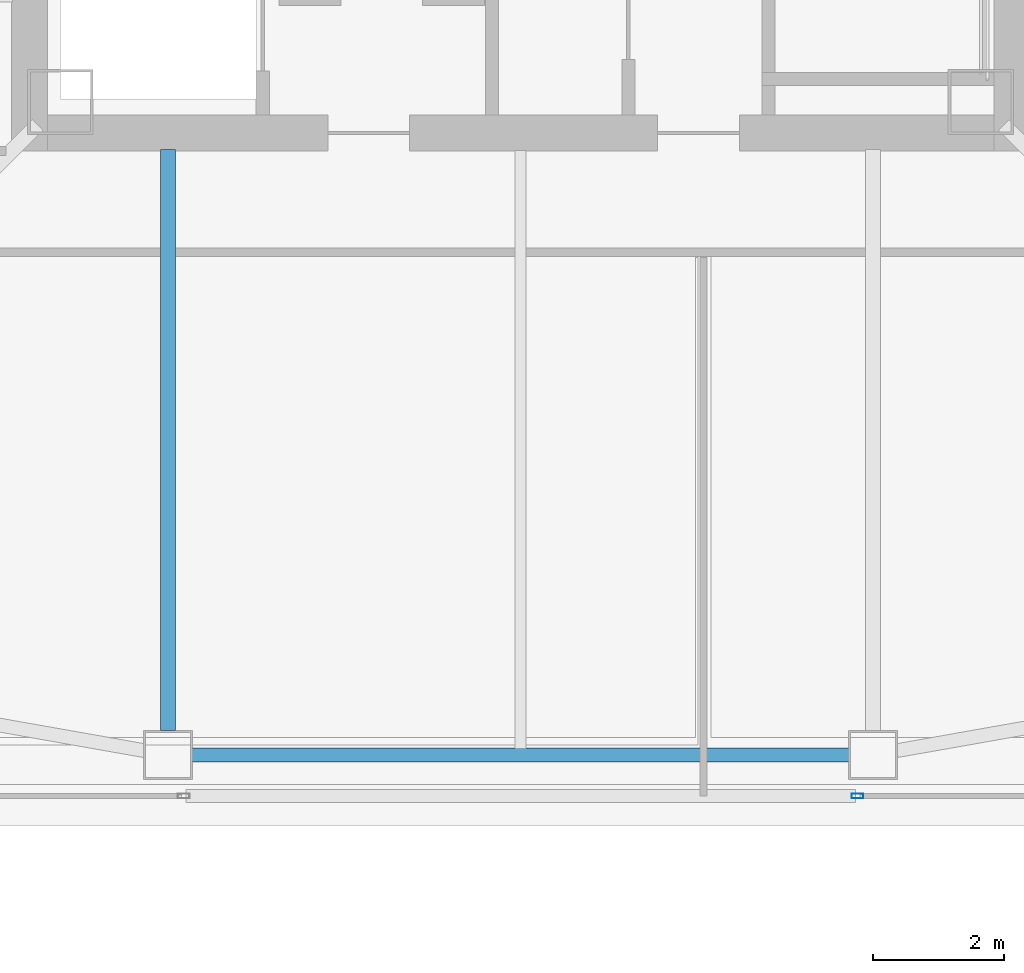
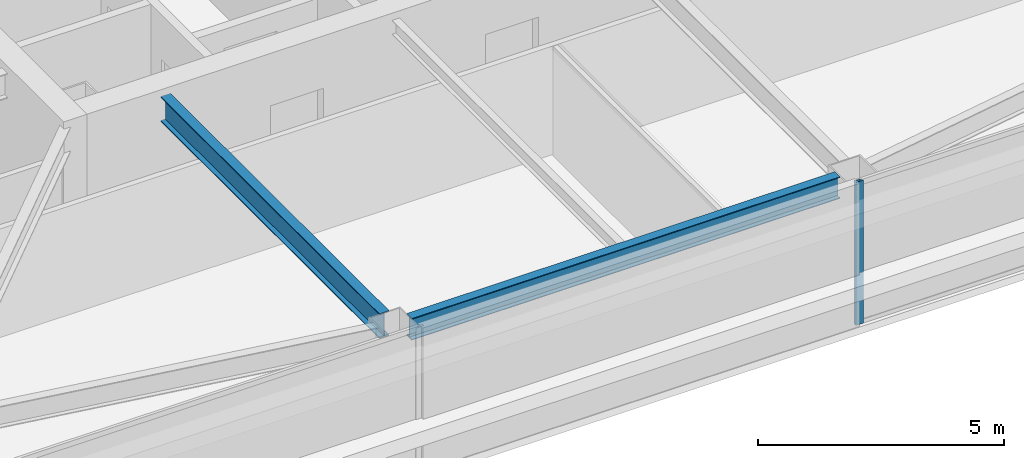
# One storey, part 5 of 41: 2 beams, 1 member, 1 element without a shape of its own.
"""IFC4 building model written with IfcOpenShell, lengths in metres."""

import ifcopenshell
import ifcopenshell.guid

model = None  # the IFC model being written
_history = None  # IfcOwnerHistory: only IFC2X3 demands one
_inside = {}  # id of a spatial element -> (the spatial element, [elements in it])
_under = {}  # id of a project, library or spatial element -> (it, [spatial elements below it])
_declared = {}  # id of a project -> (the project, [libraries it declares])
_typed = {}  # id of a type object -> (the type object, [elements of that type])
_made_of = {}  # id of a material, layer set ... -> (it, [elements and type objects made of it])


def new_model(schema):
    """Start an empty IFC model of exactly this schema.

    Asked for "IFC4X3", IfcOpenShell would pick the latest addendum, in which some entities
    have other attributes; the version numbers below select the first issue.
    IFC2X3 requires an IfcOwnerHistory on every rooted entity: one is made here for all.
    """
    global model, _history
    if schema == "IFC4X3":
        model = ifcopenshell.file(schema_version=(4, 3, 0, 0))
    else:
        model = ifcopenshell.file(schema=schema)
    _inside.clear()
    _under.clear()
    _declared.clear()
    _typed.clear()
    _made_of.clear()
    _history = None
    if model.schema == "IFC2X3":
        org = make("IfcOrganization", Name="unknown")
        user = make(
            "IfcPersonAndOrganization",
            ThePerson=make("IfcPerson", FamilyName="unknown"),
            TheOrganization=org,
        )
        app = make(
            "IfcApplication",
            ApplicationDeveloper=org,
            Version="unknown",
            ApplicationFullName="unknown",
            ApplicationIdentifier="unknown",
        )
        _history = make(
            "IfcOwnerHistory",
            OwningUser=user,
            OwningApplication=app,
            ChangeAction="ADDED",
            CreationDate=0,
        )
    return model


def make(cls, **values):
    """One entity of the class cls with the attributes given. An attribute that is None is left unset."""
    return model.create_entity(
        cls, **{name: value for name, value in values.items() if value is not None}
    )


def rooted(cls, **values):
    """An entity with a GlobalId (a new one), such as an element, a storey or a relation."""
    return make(cls, GlobalId=ifcopenshell.guid.new(), OwnerHistory=_history, **values)


def si_unit(unit_type, name, prefix=None):
    """IfcSIUnit, for example si_unit("LENGTHUNIT", "METRE", prefix="MILLI")."""
    return make("IfcSIUnit", UnitType=unit_type, Prefix=prefix, Name=name)


def assignment(units):
    """IfcUnitAssignment: the units of a project."""
    return None if units is None else make("IfcUnitAssignment", Units=units)


def point(xyz):
    """IfcCartesianPoint."""
    return None if xyz is None else make("IfcCartesianPoint", Coordinates=xyz)


def direction(xyz):
    """IfcDirection."""
    return None if xyz is None else make("IfcDirection", DirectionRatios=xyz)


def frame(location, z_axis=None, x_axis=None):
    """IfcAxis2Placement3D, a coordinate frame: its origin and axes. An axis left out is left unset."""
    return make(
        "IfcAxis2Placement3D",
        Location=point(location),
        Axis=direction(z_axis),
        RefDirection=direction(x_axis),
    )


def frame_2d(location, x_axis=None):
    """IfcAxis2Placement2D, a coordinate frame in the plane: its origin and x axis."""
    return make(
        "IfcAxis2Placement2D", Location=point(location), RefDirection=direction(x_axis)
    )


def origin():
    """The frame at (0, 0, 0) with its axes left unset."""
    return frame((0.0, 0.0, 0.0))


def origin_2d():
    """The frame at (0, 0) in the plane with its x axis left unset."""
    return frame_2d((0.0, 0.0))


def place(relative_to, where):
    """IfcLocalPlacement: puts the frame where relative to a parent placement (None: the world)."""
    return make(
        "IfcLocalPlacement", PlacementRelTo=relative_to, RelativePlacement=where
    )


def context(
    kind, dimensions, precision=None, world=None, true_north=None, identifier=None
):
    """IfcGeometricRepresentationContext, for example the 3D "Model" context."""
    return make(
        "IfcGeometricRepresentationContext",
        ContextIdentifier=identifier,
        ContextType=kind,
        CoordinateSpaceDimension=dimensions,
        Precision=precision,
        WorldCoordinateSystem=world,
        TrueNorth=true_north,
    )


def subcontext(parent, identifier, kind, view, scale=None):
    """IfcGeometricRepresentationSubContext, for example "Body" below "Model"."""
    return make(
        "IfcGeometricRepresentationSubContext",
        ContextIdentifier=identifier,
        ContextType=kind,
        ParentContext=parent,
        TargetScale=scale,
        TargetView=view,
    )


def project(units=None, contexts=None):
    """IfcProject with its units and contexts."""
    return rooted(
        "IfcProject",
        Name="project",
        RepresentationContexts=contexts,
        UnitsInContext=assignment(units),
    )


def spatial(cls, under=None, at=None, **own):
    """A site, building, storey or space (cls), placed at a placement, below another one or the project."""
    s = rooted(cls, ObjectPlacement=at, **own)
    if under is not None:
        _under.setdefault(under.id(), (under, []))[1].append(s)
    return s


def profile(cls, at=None, kind="AREA", **sizes):
    """A parametric profile (cls). Its sizes go by their IFC names, for example OverallWidth=200.0."""
    return make(cls, ProfileType=kind, Position=at, **sizes)


def hollow_rectangle(**sizes):
    """IfcRectangleHollowProfileDef."""
    return profile("IfcRectangleHollowProfileDef", **sizes)


def i_section(**sizes):
    """IfcIShapeProfileDef."""
    return profile("IfcIShapeProfileDef", **sizes)


def extrude(swept, where, along, depth):
    """IfcExtrudedAreaSolid: the profile swept, set in the frame where, extruded along a direction by depth."""
    return make(
        "IfcExtrudedAreaSolid",
        SweptArea=swept,
        Position=where,
        ExtrudedDirection=direction(along),
        Depth=depth,
    )


def shape(context_of_items, identifier, shape_type, items):
    """IfcShapeRepresentation: the items that make up one representation, for example the "Body"."""
    return make(
        "IfcShapeRepresentation",
        ContextOfItems=context_of_items,
        RepresentationIdentifier=identifier,
        RepresentationType=shape_type,
        Items=items,
    )


def material(Name=None, Category=None):
    """IfcMaterial."""
    return make("IfcMaterial", Name=Name, Category=Category)


def material_profile(
    of_material, cross_section, Name=None, Category=None, Priority=None
):
    """IfcMaterialProfile: a cross section and its material."""
    return make(
        "IfcMaterialProfile",
        Name=Name,
        Material=of_material,
        Profile=cross_section,
        Priority=Priority,
        Category=Category,
    )


def profile_set(profiles, Name=None, composite=None):
    """IfcMaterialProfileSet."""
    return make(
        "IfcMaterialProfileSet",
        Name=Name,
        MaterialProfiles=profiles,
        CompositeProfile=composite,
    )


def made_of(thing, what):
    """Note that an element or type object is made of a material, layer set ...; save() writes the relation."""
    if what is not None:
        _made_of.setdefault(what.id(), (what, []))[1].append(thing)
    return thing


def type_object(cls, material=None, **own):
    """A type object (cls), such as IfcWallType, which elements share."""
    return made_of(rooted(cls, **own), material)


def element(
    cls,
    number,
    at=None,
    inside=None,
    cuts=None,
    type_object=None,
    material=None,
    context=None,
    identifier="Body",
    shape_type=None,
    held_by="IfcProductDefinitionShape",
    body=None,
    shapes=None,
    **own,
):
    """One element of the class cls, such as IfcWall. Its Tag is "e" and its number.

    at: its placement. inside: the storey or other place that contains it. cuts: it is an
    opening in that element (IfcRelVoidsElement). A single representation is given by context,
    identifier, shape_type and body (its items); several are given by shapes. held_by: the class
    of the entity that holds the representations. save() writes the other relations.
    """
    e = rooted(cls, Tag="e%d" % number, ObjectPlacement=at, **own)
    if body is not None:
        shapes = [shape(context, identifier, shape_type, body)]
    if shapes is not None:
        e.Representation = make(held_by, Representations=shapes)
    if inside is not None:
        _inside.setdefault(inside.id(), (inside, []))[1].append(e)
    if cuts is not None:
        rooted(
            "IfcRelVoidsElement", RelatingBuildingElement=cuts, RelatedOpeningElement=e
        )
    if type_object is not None:
        _typed.setdefault(type_object.id(), (type_object, []))[1].append(e)
    return made_of(e, material)


def aggregate(whole, parts):
    """IfcRelAggregates: a whole, such as a stair, and the parts it consists of."""
    return rooted("IfcRelAggregates", RelatingObject=whole, RelatedObjects=parts)


def save(model, path):
    """Write the relations noted so far, then the file.

    IfcRelAggregates (storeys below a building ...), IfcRelContainedInSpatialStructure (elements
    in a storey), IfcRelDefinesByType, IfcRelAssociatesMaterial and IfcRelDeclares: one each for
    every whole, place, type object, material and project.
    """
    for whole, parts in _under.values():
        aggregate(whole, parts)
    for where, things in _inside.values():
        rooted(
            "IfcRelContainedInSpatialStructure",
            RelatedElements=things,
            RelatingStructure=where,
        )
    for kind, things in _typed.values():
        rooted("IfcRelDefinesByType", RelatedObjects=things, RelatingType=kind)
    for what, things in _made_of.values():
        rooted("IfcRelAssociatesMaterial", RelatedObjects=things, RelatingMaterial=what)
    for by, libraries in _declared.values():
        rooted("IfcRelDeclares", RelatingContext=by, RelatedDefinitions=libraries)
    model.write(path)


model = new_model("IFC4")

# Units and contexts
model_context = context("Model", 3, precision=1e-05, world=origin(), true_north=direction((0.0, 1.0)))
body_context = subcontext(model_context, "Body", "Model", "MODEL_VIEW")
ifc_project = project(units=[si_unit("LENGTHUNIT", "METRE"), si_unit("AREAUNIT", "SQUARE_METRE"), si_unit("VOLUMEUNIT", "CUBIC_METRE"), si_unit("PLANEANGLEUNIT", "RADIAN"), si_unit("MASSUNIT", "GRAM", prefix="KILO")], contexts=[model_context])

# Site, building, storey
site_placement = place(None, origin())
site = spatial("IfcSite", under=ifc_project, at=site_placement, CompositionType="ELEMENT")
building_placement = place(site_placement, origin())
building = spatial("IfcBuilding", under=site, at=building_placement, Name="Tashvorn Skyway Center", CompositionType="ELEMENT")
storey_placement = place(building_placement, frame((0.0, 0.0, 192.5)))
storey = spatial("IfcBuildingStorey", under=building, at=storey_placement, Name="L52", CompositionType="ELEMENT", Elevation=192.5)

# Beams
ifc_material_1 = material(Name="Steel ASTM A992 Grade 50", Category="steel")
ifc_material_profile_1 = material_profile(ifc_material_1, i_section(OverallWidth=0.22998046875, OverallDepth=0.616943359375, WebThickness=0.01318359375, FlangeThickness=0.022216796875, at=origin_2d()), Name="W24X94")
ifc_profile_set_1 = profile_set([ifc_material_profile_1], Name="Steel ASTM A992 Grade 50")
beam_type_1 = type_object("IfcBeamType", Name="BM-BEAM-W24X94", PredefinedType="BEAM", material=ifc_profile_set_1)
beam_1_placement = place(storey_placement, frame((36.60009765625, 15.320068359375, 3.0615234375), z_axis=(0.0, 1.0, 0.0), x_axis=(-1.0, 0.0, 0.0)))
element("IfcBeam", 1, at=beam_1_placement, inside=storey, type_object=beam_type_1, Name="Tower 1 L52 Primary Floor Girder FC-S1", PredefinedType="BEAM", context=body_context, shape_type="SweptSolid", body=[
    extrude(i_section(OverallWidth=0.22998046875, OverallDepth=0.616943359375, WebThickness=0.01318359375, FlangeThickness=0.022216796875, at=origin_2d()), origin(), (0.0, 0.0, 1.0), 8.89990234375),
])
ifc_material_profile_2 = material_profile(ifc_material_1, i_section(OverallWidth=0.2109375, OverallDepth=0.5390625, WebThickness=0.01171875, FlangeThickness=0.018798828125, at=origin_2d()), Name="W21X73")
ifc_profile_set_2 = profile_set([ifc_material_profile_2], Name="Steel ASTM A992 Grade 50")
beam_type_2 = type_object("IfcBeamType", Name="BM-SPANDREL-W21X73", PredefinedType="SPANDREL", material=ifc_profile_set_2)
beam_2_placement = place(storey_placement, frame((36.969970703125, 14.949951171875, 3.1005859375), z_axis=(1.0, 0.0, 0.0), x_axis=(0.0, 1.0, 0.0)))
element("IfcBeam", 2, at=beam_2_placement, inside=storey, type_object=beam_type_2, Name="Tower 1 L52 Spandrel Beam 02", PredefinedType="SPANDREL", context=body_context, shape_type="SweptSolid", body=[
    extrude(i_section(OverallWidth=0.2109375, OverallDepth=0.5390625, WebThickness=0.01171875, FlangeThickness=0.018798828125, at=origin_2d()), origin(), (0.0, 0.0, 1.0), 10.06005859375),
])

# Curtain wall, member
ifc_material_2 = material(Name="Thermally broken bronze-anodized aluminium 6063-T6", Category="aluminium")
curtain_wall_type = type_object("IfcCurtainWallType", Name="CW-CW-Z4", PredefinedType="NOTDEFINED", material=ifc_material_2)
curtain_wall_placement = place(storey_placement, origin())
curtain_wall = element("IfcCurtainWall", 3, at=curtain_wall_placement, inside=storey, type_object=curtain_wall_type, Name="Tower 1 L52 South Unitised Curtain Wall Glazing Group 1", PredefinedType="NOTDEFINED")
ifc_material_profile_3 = material_profile(ifc_material_2, hollow_rectangle(XDim=0.070068359375, YDim=0.179931640625, WallThickness=0.00390625, at=origin_2d()), Name="ALU-MULL-70x180")
ifc_profile_set_3 = profile_set([ifc_material_profile_3], Name="Thermally broken bronze-anodized aluminium 6063-T6")
member_type = type_object("IfcMemberType", Name="CWM-CW-Z4", PredefinedType="MULLION", material=ifc_profile_set_3)
member_placement = place(storey_placement, frame((47.16162109375, 14.320068359375, 0.0), z_axis=(0.0, 0.0, 1.0), x_axis=(0.0, -1.0, 0.0)))
member = element("IfcMember", 4, at=member_placement, type_object=member_type, Name="CW-Z4 mullion 2", PredefinedType="MULLION", context=body_context, shape_type="SweptSolid", body=[
    extrude(hollow_rectangle(XDim=0.070068359375, YDim=0.179931640625, WallThickness=0.00390625, at=origin_2d()), origin(), (0.0, 0.0, 1.0), 3.550048828125),
])
aggregate(curtain_wall, [member])

save(model, "model.ifc")
